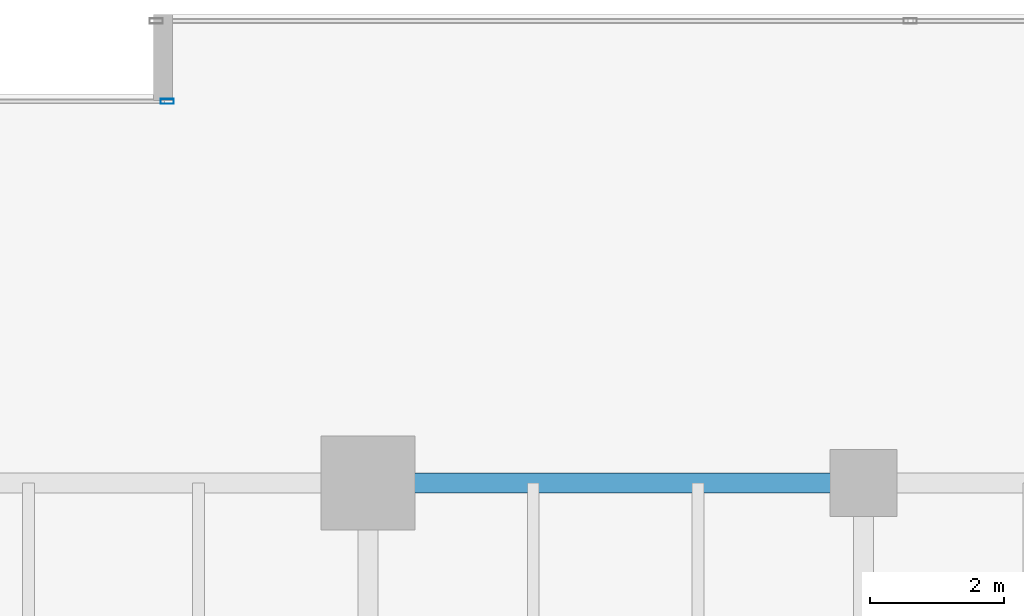
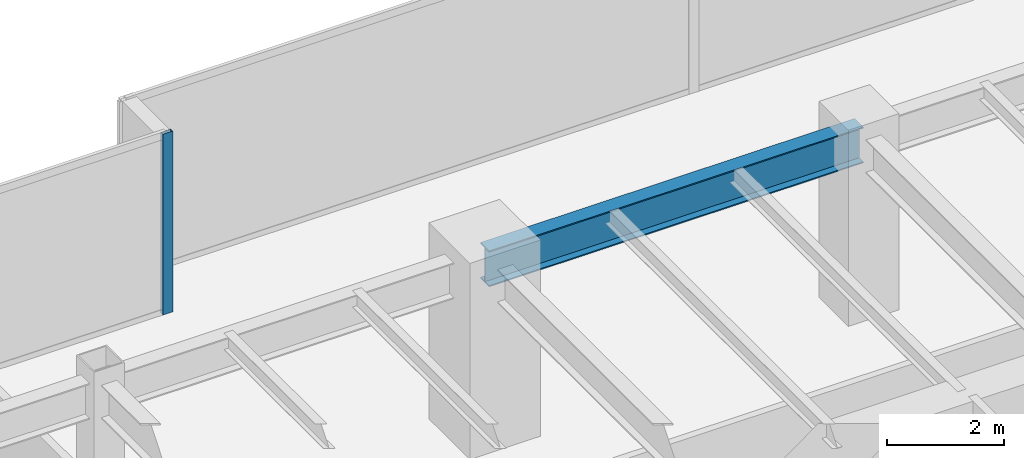
# One storey, part 20 of 35: 1 beam, 1 member, 1 element without a shape of its own.
"""IFC4 building model written with IfcOpenShell, lengths in metres."""

from ifc_helpers import new_model, si_unit, direction, frame, origin, origin_2d, place, context, subcontext, project, spatial, hollow_rectangle, i_section, extrude, source, transform, mapped, material, layer, layer_set, material_profile, profile_set, type_object, type_shapes, element, aggregate, save


model = new_model("IFC4")

# Units and contexts
model_context = context("Model", 3, precision=1e-05, world=origin(), true_north=direction((0.0, 1.0)))
body_context = subcontext(model_context, "Body", "Model", "MODEL_VIEW")
ifc_project = project(units=[si_unit("LENGTHUNIT", "METRE"), si_unit("AREAUNIT", "SQUARE_METRE"), si_unit("VOLUMEUNIT", "CUBIC_METRE"), si_unit("PLANEANGLEUNIT", "RADIAN"), si_unit("MASSUNIT", "GRAM", prefix="KILO")], contexts=[model_context])

# Site, building, storey
site_placement = place(None, origin())
site = spatial("IfcSite", under=ifc_project, at=site_placement, CompositionType="ELEMENT")
building_placement = place(site_placement, origin())
building = spatial("IfcBuilding", under=site, at=building_placement, Name="Haelvirn Gate Laboratories", CompositionType="ELEMENT")
storey_placement = place(building_placement, frame((0.0, 0.0, 41.60009765625)))
storey = spatial("IfcBuildingStorey", under=building, at=storey_placement, Name="L10", CompositionType="ELEMENT", Elevation=41.60009765625)

# Beam
ifc_material_1 = material(Name="Steel SM355", Category="steel")
ifc_material_profile_1 = material_profile(ifc_material_1, i_section(OverallWidth=0.300048828125, OverallDepth=0.75, WebThickness=0.013916015625, FlangeThickness=0.02392578125, at=origin_2d()), Name="H-750x300x14x24")
ifc_profile_set_1 = profile_set([ifc_material_profile_1], Name="Steel SM355")
beam_type = type_object("IfcBeamType", Name="BM-G-750", PredefinedType="BEAM", material=ifc_profile_set_1)
shared_shape_1 = source(origin(), body_context, "Body", "SweptSolid", [
    extrude(i_section(OverallWidth=0.300048828125, OverallDepth=0.75, WebThickness=0.013916015625, FlangeThickness=0.02392578125, at=origin_2d()), origin(), (0.0, 0.0, 1.0), 7.39990234375),
])
type_shapes(beam_type, [shared_shape_1])
beam_placement = place(storey_placement, frame((52.60009765625, 41.60009765625, 3.40478515625), z_axis=(1.0, 0.0, 0.0), x_axis=(0.0, 1.0, 0.0)))
element("IfcBeam", 1, at=beam_placement, inside=storey, type_object=beam_type, Name="L10 Primary Girder Y41.6 (52.6-60.0)", PredefinedType="BEAM", context=body_context, shape_type="MappedRepresentation", body=[
    mapped(shared_shape_1, transform((0.0, 0.0, 0.0), scale=1.0)),
])

# Curtain wall, member
ifc_material_2 = material(Name="Anodised bronze unitised aluminium & triple low-E glass", Category="aluminium")
ifc_layer = layer(ifc_material_2, 0.18408203125, Name="CW-SYS-2")
ifc_layer_set = layer_set([ifc_layer], Name="Anodised bronze unitised aluminium & triple low-E glass")
curtain_wall_type = type_object("IfcCurtainWallType", Name="CW-SYS-2", PredefinedType="NOTDEFINED", material=ifc_layer_set)
curtain_wall_placement = place(storey_placement, origin())
curtain_wall = element("IfcCurtainWall", 2, at=curtain_wall_placement, inside=storey, type_object=curtain_wall_type, Name="L10 Unitised Curtain Wall CW-L10-P0-E12-1", PredefinedType="NOTDEFINED")
ifc_material_3 = material(Name="Extruded aluminium 6063-T6 (anodised bronze)", Category="aluminium")
ifc_material_profile_2 = material_profile(ifc_material_3, hollow_rectangle(XDim=0.074951171875, YDim=0.199951171875, WallThickness=0.0048828125, at=origin_2d()), Name="CWM-200x75x5")
ifc_profile_set_2 = profile_set([ifc_material_profile_2], Name="Extruded aluminium 6063-T6 (anodised bronze)")
member_type = type_object("IfcMemberType", Name="CWM-T200", PredefinedType="MULLION", material=ifc_profile_set_2)
shared_shape_2 = source(origin(), body_context, "Body", "SweptSolid", [
    extrude(hollow_rectangle(XDim=0.074951171875, YDim=0.199951171875, WallThickness=0.0048828125, at=origin_2d()), origin(), (0.0, 0.0, 1.0), 3.77978515625),
])
type_shapes(member_type, [shared_shape_2])
member_placement = place(storey_placement, frame((49.6025390625, 47.300048828125, 0.0), z_axis=(0.0, 0.0, 1.0), x_axis=(0.0, 1.0, 0.0)))
member = element("IfcMember", 3, at=member_placement, type_object=member_type, Name="CW2 mullion 3", PredefinedType="MULLION", context=body_context, shape_type="MappedRepresentation", body=[
    mapped(shared_shape_2, transform((0.0, 0.0, 0.0), scale=1.0)),
])
aggregate(curtain_wall, [member])

save(model, "model.ifc")
